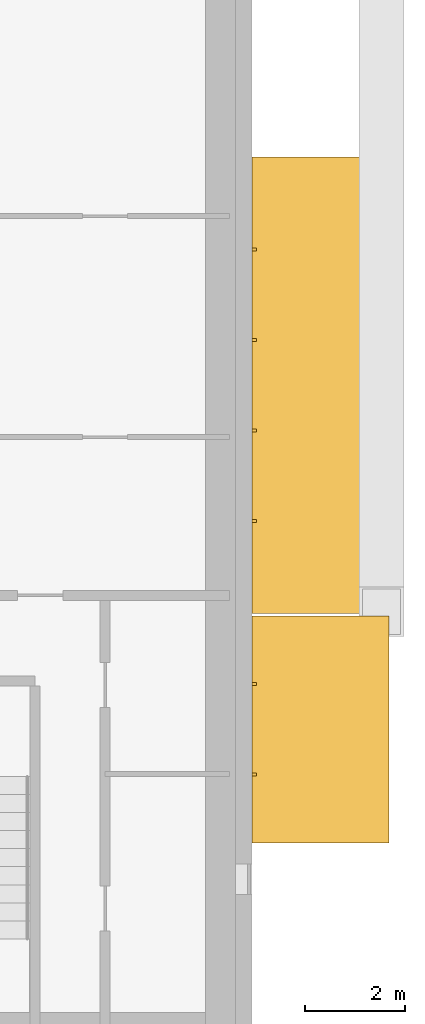
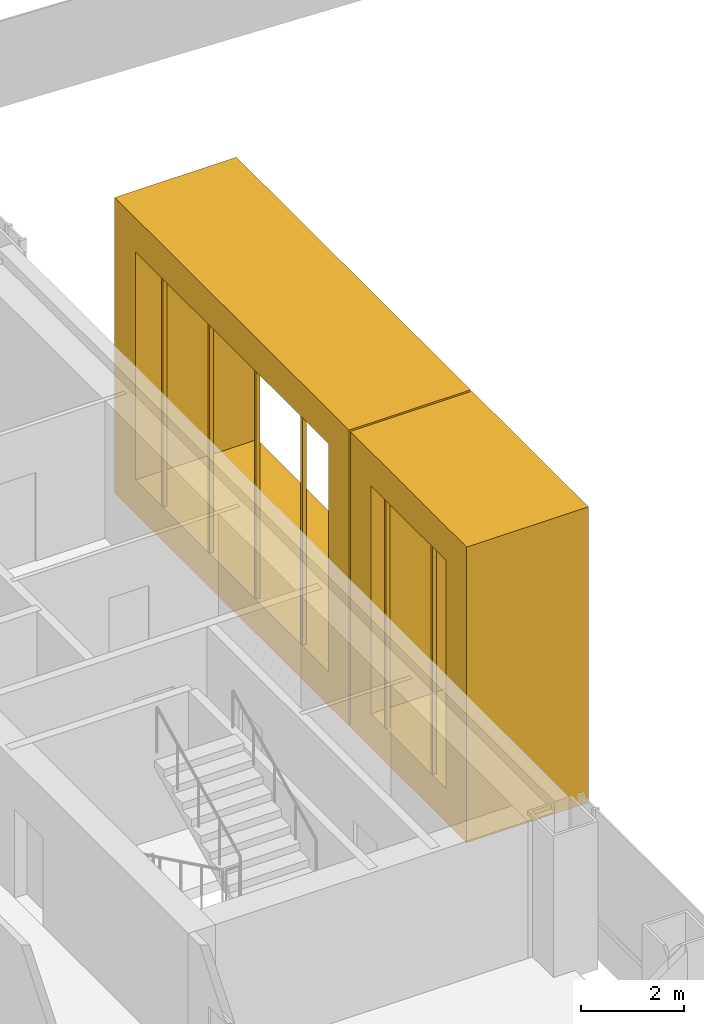
# One storey, part 24 of 26: 8 coverings.
"""IFC4 building model written with IfcOpenShell, lengths in metres."""

from ifc_helpers import new_model, si_unit, direction, frame, origin, origin_2d, place, context, subcontext, project, spatial, polyline, rectangle, outline, extrude, material, type_object, element, save


model = new_model("IFC4")

# Units and contexts
model_context = context("Model", 3, precision=1e-05, world=origin(), true_north=direction((0.0, 1.0)))
body_context = subcontext(model_context, "Body", "Model", "MODEL_VIEW")
ifc_project = project(units=[si_unit("LENGTHUNIT", "METRE"), si_unit("AREAUNIT", "SQUARE_METRE"), si_unit("VOLUMEUNIT", "CUBIC_METRE"), si_unit("PLANEANGLEUNIT", "RADIAN"), si_unit("MASSUNIT", "GRAM", prefix="KILO")], contexts=[model_context])

# Site, building, storey
site_placement = place(None, origin())
site = spatial("IfcSite", under=ifc_project, at=site_placement, CompositionType="ELEMENT")
building_placement = place(site_placement, origin())
building = spatial("IfcBuilding", under=site, at=building_placement, Name="Cobrizo Arcos Hotel Tower", CompositionType="ELEMENT")
storey_placement = place(building_placement, frame((0.0, 0.0, 67.0)))
storey = spatial("IfcBuildingStorey", under=building, at=storey_placement, Name="L15", CompositionType="ELEMENT", Elevation=67.0)

# Coverings
ifc_material_1 = material(Name="Aluminium 6063-T6 anodised bronze", Category="aluminium")
covering_type_1 = type_object("IfcCoveringType", Name="FIN-F 2725", PredefinedType="CLADDING", material=ifc_material_1)
covering_1_placement = place(storey_placement, frame((24.324951171875, -6.824951171875, 0.0), z_axis=(1.0, 0.0, 0.0), x_axis=(0.0, 1.0, 0.0)))
element("IfcCovering", 1, at=covering_1_placement, inside=storey, type_object=covering_type_1, Name="Fin frame 36", PredefinedType="CLADDING", context=body_context, shape_type="SweptSolid", body=[
    extrude(outline(polyline([(0.0, 7.0), (0.0, 0.0), (4.5166015625, 0.0), (4.5166015625, 7.0), (0.0, 7.0)]), holes=[polyline([(3.716796875, 0.800048828125), (0.800048828125, 0.800048828125), (0.800048828125, 6.199951171875), (3.716796875, 6.199951171875), (3.716796875, 0.800048828125)])]), origin(), (0.0, 0.0, 1.0), 2.72509765625),
])
covering_2_placement = place(storey_placement, frame((24.324951171875, -2.25830078125, 0.0), z_axis=(1.0, 0.0, 0.0), x_axis=(0.0, 1.0, 0.0)))
element("IfcCovering", 2, at=covering_2_placement, inside=storey, type_object=covering_type_1, Name="Fin frame 37", PredefinedType="CLADDING", context=body_context, shape_type="SweptSolid", body=[
    extrude(outline(polyline([(0.0, 7.0), (0.0, 0.0), (9.083251953125, 0.0), (9.083251953125, 7.0), (0.0, 7.0)]), holes=[polyline([(8.283203125, 0.800048828125), (0.800048828125, 0.800048828125), (0.800048828125, 6.199951171875), (8.283203125, 6.199951171875), (8.283203125, 0.800048828125)])]), origin(), (0.0, 0.0, 1.0), 2.72509765625),
])
ifc_material_2 = material(Name="Aluminium 6063-T6 anodised pale", Category="aluminium")
covering_type_2 = type_object("IfcCoveringType", Name="RS-1 rainscreen rib 60x90", PredefinedType="CLADDING", material=ifc_material_2)
for number, where, z_axis, x_axis, name in (
    (3, (24.3701171875, -5.466552734375, 0.800048828125), (0.0, 0.0, 1.0), (0.0, 1.0, 0.0), "Rainscreen rib 105"),
    (4, (24.3701171875, -3.666748046875, 0.800048828125), (0.0, 0.0, 1.0), (0.0, 1.0, 0.0), "Rainscreen rib 106"),
    (5, (24.3701171875, -0.416748046875, 0.800048828125), (0.0, 0.0, 1.0), (0.0, 1.0, 0.0), "Rainscreen rib 107"),
    (6, (24.3701171875, 1.38330078125, 0.800048828125), (0.0, 0.0, 1.0), (0.0, 1.0, 0.0), "Rainscreen rib 108"),
    (7, (24.3701171875, 3.183349609375, 0.800048828125), (0.0, 0.0, 1.0), (0.0, 1.0, 0.0), "Rainscreen rib 109"),
    (8, (24.3701171875, 4.9833984375, 0.800048828125), (0.0, 0.0, 1.0), (0.0, 1.0, 0.0), "Rainscreen rib 110"),
):
    element("IfcCovering", number, at=place(storey_placement, frame(where, z_axis=z_axis, x_axis=x_axis)), inside=storey, type_object=covering_type_2, Name=name, PredefinedType="CLADDING", context=body_context, shape_type="SweptSolid", body=[
        extrude(rectangle(XDim=0.06005859375, YDim=0.090087890625, at=origin_2d()), origin(), (0.0, 0.0, 1.0), 5.39990234375),
    ])

save(model, "model.ifc")
